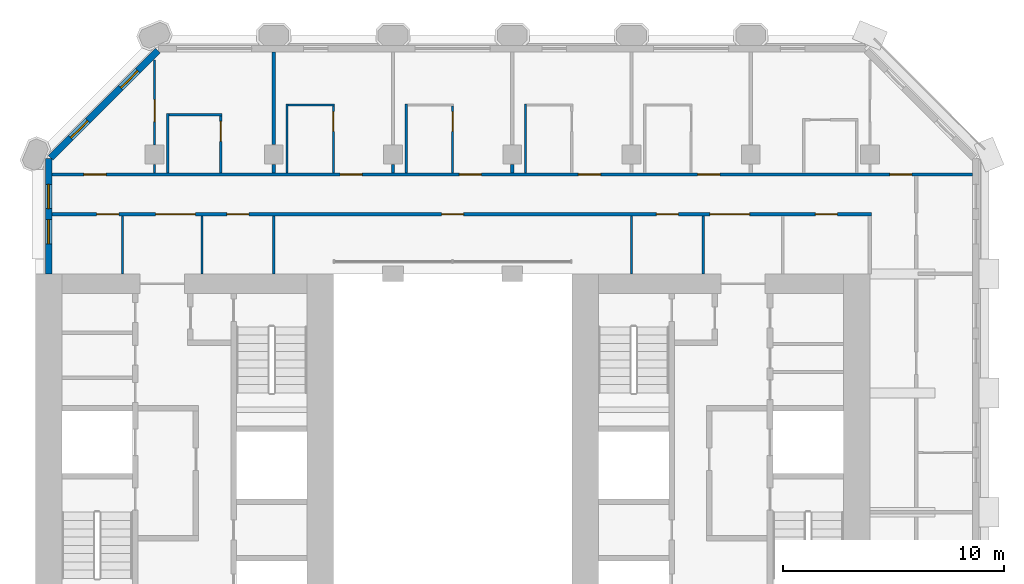
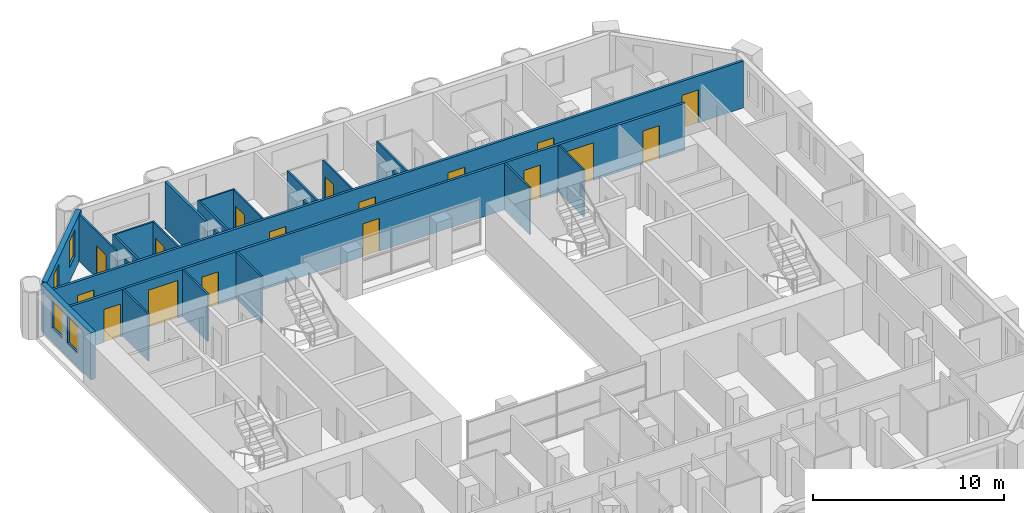
# One storey, part 12 of 16: 24 walls, 17 doors, 4 windows, 21 openings.
"""IFC4 building model written with IfcOpenShell, lengths in metres."""

from ifc_helpers import new_model, si_unit, direction, frame, frame_2d, origin, place, context, subcontext, project, spatial, rectangle, extrude, material, layer, layer_set, type_object, element, fill, save


model = new_model("IFC4")

# Units and contexts
model_context = context("Model", 3, precision=1e-05, world=origin(), true_north=direction((0.0, 1.0)))
body_context = subcontext(model_context, "Body", "Model", "MODEL_VIEW")
ifc_project = project(units=[si_unit("LENGTHUNIT", "METRE"), si_unit("AREAUNIT", "SQUARE_METRE"), si_unit("VOLUMEUNIT", "CUBIC_METRE"), si_unit("PLANEANGLEUNIT", "RADIAN"), si_unit("MASSUNIT", "GRAM", prefix="KILO")], contexts=[model_context])

# Site, building, storey
site_placement = place(None, origin())
site = spatial("IfcSite", under=ifc_project, at=site_placement, CompositionType="ELEMENT")
building_placement = place(site_placement, origin())
building = spatial("IfcBuilding", under=site, at=building_placement, Name="Tabaq Tower and Sports Hall", CompositionType="ELEMENT")
storey_placement = place(building_placement, frame((0.0, 0.0, 156.10009765625)))
storey = spatial("IfcBuildingStorey", under=building, at=storey_placement, Name="L36", CompositionType="ELEMENT", Elevation=156.10009765625)

# Wall, opening, door
ifc_material_1 = material(Name="Gypsum board on steel studs", Category="steel")
ifc_layer_1 = layer(ifc_material_1, 0.10009765625)
ifc_layer_set_1 = layer_set([ifc_layer_1], Name="Partition 100 Gypsum board")
wall_type_1 = type_object("IfcWallType", Name="Partition 100 Gypsum board", PredefinedType="PARTITIONING", material=ifc_layer_set_1)
wall_1_placement = place(storey_placement, frame((10.800048828125, 42.087890625, 0.0), z_axis=(0.0, 0.0, 1.0), x_axis=(0.0, -1.0, 0.0)))
wall_1 = element("IfcWall", 1, at=wall_1_placement, inside=storey, type_object=wall_type_1, Name="Partition wall L36", PredefinedType="PARTITIONING", context=body_context, shape_type="SweptSolid", body=[
    extrude(rectangle(XDim=3.8427734375, YDim=0.10009765625, at=frame_2d((1.92138671875, 0.0))), origin(), (0.0, 0.0, 1.0), 3.0),
])
opening_1_placement = place(wall_1_placement, frame((1.80029296875, 0.0, 0.0)))
opening_1 = element("IfcOpeningElement", 2, at=opening_1_placement, cuts=wall_1, Name="Opening L36-030", PredefinedType="OPENING", context=body_context, shape_type="SweptSolid", body=[
    extrude(rectangle(XDim=1.0, YDim=2.10009765625, at=frame_2d((0.5, 1.050048828125))), frame((0.0, 0.050048828125, 0.0), z_axis=(0.0, -1.0, 0.0), x_axis=(1.0, 0.0, 0.0)), (0.0, 0.0, 1.0), 0.10009765625),
])
ifc_material_2 = material(Name="Timber leaf in steel frame", Category="steel")
door_type_1 = type_object("IfcDoorType", Name="Internal door 1000 right hand", OperationType="SINGLE_SWING_RIGHT", PredefinedType="DOOR", material=ifc_material_2)
door_1_placement = place(opening_1_placement, origin())
door_1 = element("IfcDoor", 3, at=door_1_placement, inside=storey, type_object=door_type_1, Name="Internal door L36-030", OperationType="SINGLE_SWING_RIGHT", OverallHeight=2.10009765625, OverallWidth=1.0, PredefinedType="DOOR", context=body_context, shape_type="SweptSolid", body=[
    extrude(rectangle(XDim=1.0, YDim=2.10009765625, at=frame_2d((0.5, 1.050048828125))), frame((0.0, 0.02490234375, 0.0), z_axis=(0.0, -1.0, 0.0), x_axis=(1.0, 0.0, 0.0)), (0.0, 0.0, 1.0), 0.050048828125),
])
fill(opening_1, door_1)

# Walls
wall_2_placement = place(storey_placement, frame((10.800048828125, 37.35498046875, 0.0), z_axis=(0.0, 0.0, 1.0), x_axis=(0.0, -1.0, 0.0)))
element("IfcWall", 4, at=wall_2_placement, inside=storey, type_object=wall_type_1, Name="Partition wall L36", PredefinedType="PARTITIONING", context=body_context, shape_type="SweptSolid", body=[
    extrude(rectangle(XDim=0.3798828125, YDim=0.10009765625, at=frame_2d((0.18994140625, 0.0))), origin(), (0.0, 0.0, 1.0), 3.0),
])
wall_3_placement = place(storey_placement, frame((11.39990234375, 36.97509765625, 0.0), z_axis=(0.0, 0.0, 1.0), x_axis=(0.0, 1.0, 0.0)))
element("IfcWall", 5, at=wall_3_placement, inside=storey, type_object=wall_type_1, Name="Partition wall L36", PredefinedType="PARTITIONING", context=body_context, shape_type="SweptSolid", body=[
    extrude(rectangle(XDim=2.6748046875, YDim=0.10009765625, at=frame_2d((1.33740234375, 0.0))), origin(), (0.0, 0.0, 1.0), 3.0),
])
wall_4_placement = place(storey_placement, frame((11.449951171875, 39.60009765625, 0.0), z_axis=(0.0, 0.0, 1.0), x_axis=(1.0, 0.0, 0.0)))
element("IfcWall", 6, at=wall_4_placement, inside=storey, type_object=wall_type_1, Name="Partition wall L36", PredefinedType="PARTITIONING", context=body_context, shape_type="SweptSolid", body=[
    extrude(rectangle(XDim=2.400146484375, YDim=0.10009765625, at=frame_2d((1.2001953125, 0.0))), origin(), (0.0, 0.0, 1.0), 3.0),
])

# Wall, opening, door
wall_5_placement = place(storey_placement, frame((13.800048828125, 39.550048828125, 0.0), z_axis=(0.0, 0.0, 1.0), x_axis=(0.0, -1.0, 0.0)))
wall_5 = element("IfcWall", 7, at=wall_5_placement, inside=storey, type_object=wall_type_1, Name="Partition wall L36", PredefinedType="PARTITIONING", context=body_context, shape_type="SweptSolid", body=[
    extrude(rectangle(XDim=2.574951171875, YDim=0.10009765625, at=frame_2d((1.28759765625, 0.0))), origin(), (0.0, 0.0, 1.0), 3.0),
])
opening_2_placement = place(wall_5_placement, frame((0.25, 0.0, 0.0)))
opening_2 = element("IfcOpeningElement", 8, at=opening_2_placement, cuts=wall_5, Name="Opening L36-002", PredefinedType="OPENING", context=body_context, shape_type="SweptSolid", body=[
    extrude(rectangle(XDim=0.89990234375, YDim=2.10009765625, at=frame_2d((0.449951171875, 1.050048828125))), frame((0.0, 0.050048828125, 0.0), z_axis=(0.0, -1.0, 0.0), x_axis=(1.0, 0.0, 0.0)), (0.0, 0.0, 1.0), 0.10009765625),
])
ifc_material_3 = material(Name="Timber leaf in steel frame", Category="steel")
door_type_2 = type_object("IfcDoorType", Name="Internal door 900 right hand", OperationType="SINGLE_SWING_RIGHT", PredefinedType="DOOR", material=ifc_material_3)
door_2_placement = place(opening_2_placement, origin())
door_2 = element("IfcDoor", 9, at=door_2_placement, inside=storey, type_object=door_type_2, Name="Internal door L36-002", OperationType="SINGLE_SWING_RIGHT", OverallHeight=2.10009765625, OverallWidth=0.89990234375, PredefinedType="DOOR", context=body_context, shape_type="SweptSolid", body=[
    extrude(rectangle(XDim=0.89990234375, YDim=2.10009765625, at=frame_2d((0.449951171875, 1.050048828125))), frame((0.0, 0.02490234375, 0.0), z_axis=(0.0, -1.0, 0.0), x_axis=(1.0, 0.0, 0.0)), (0.0, 0.0, 1.0), 0.050048828125),
])
fill(opening_2, door_2)

# Walls
wall_6_placement = place(storey_placement, frame((16.800048828125, 36.97509765625, 0.0), z_axis=(0.0, 0.0, 1.0), x_axis=(0.0, 1.0, 0.0)))
element("IfcWall", 10, at=wall_6_placement, inside=storey, type_object=wall_type_1, Name="Partition wall L36", PredefinedType="PARTITIONING", context=body_context, shape_type="SweptSolid", body=[
    extrude(rectangle(XDim=3.125, YDim=0.10009765625, at=frame_2d((1.5625, 0.0))), origin(), (0.0, 0.0, 1.0), 3.0),
])
wall_7_placement = place(storey_placement, frame((16.85009765625, 40.050048828125, 0.0), z_axis=(0.0, 0.0, 1.0), x_axis=(1.0, 0.0, 0.0)))
element("IfcWall", 11, at=wall_7_placement, inside=storey, type_object=wall_type_1, Name="Partition wall L36", PredefinedType="PARTITIONING", context=body_context, shape_type="SweptSolid", body=[
    extrude(rectangle(XDim=2.099853515625, YDim=0.10009765625, at=frame_2d((1.0498046875, 0.0))), origin(), (0.0, 0.0, 1.0), 3.0),
])

# Wall, opening, door
wall_8_placement = place(storey_placement, frame((18.89990234375, 40.0, 0.0), z_axis=(0.0, 0.0, 1.0), x_axis=(0.0, -1.0, 0.0)))
wall_8 = element("IfcWall", 12, at=wall_8_placement, inside=storey, type_object=wall_type_1, Name="Partition wall L36", PredefinedType="PARTITIONING", context=body_context, shape_type="SweptSolid", body=[
    extrude(rectangle(XDim=3.02490234375, YDim=0.10009765625, at=frame_2d((1.512451171875, 0.0))), origin(), (0.0, 0.0, 1.0), 3.0),
])
opening_3_placement = place(wall_8_placement, frame((0.25, 0.0, 0.0)))
opening_3 = element("IfcOpeningElement", 13, at=opening_3_placement, cuts=wall_8, Name="Opening L36-003", PredefinedType="OPENING", context=body_context, shape_type="SweptSolid", body=[
    extrude(rectangle(XDim=0.89990234375, YDim=2.10009765625, at=frame_2d((0.449951171875, 1.050048828125))), frame((0.0, 0.050048828125, 0.0), z_axis=(0.0, -1.0, 0.0), x_axis=(1.0, 0.0, 0.0)), (0.0, 0.0, 1.0), 0.10009765625),
])
door_3_placement = place(opening_3_placement, origin())
door_3 = element("IfcDoor", 14, at=door_3_placement, inside=storey, type_object=door_type_2, Name="Internal door L36-003", OperationType="SINGLE_SWING_RIGHT", OverallHeight=2.10009765625, OverallWidth=0.89990234375, PredefinedType="DOOR", context=body_context, shape_type="SweptSolid", body=[
    extrude(rectangle(XDim=0.89990234375, YDim=2.10009765625, at=frame_2d((0.449951171875, 1.050048828125))), frame((0.0, 0.02490234375, 0.0), z_axis=(0.0, -1.0, 0.0), x_axis=(1.0, 0.0, 0.0)), (0.0, 0.0, 1.0), 0.050048828125),
])
fill(opening_3, door_3)

# Wall
wall_9_placement = place(storey_placement, frame((22.199951171875, 36.97509765625, 0.0), z_axis=(0.0, 0.0, 1.0), x_axis=(0.0, 1.0, 0.0)))
element("IfcWall", 15, at=wall_9_placement, inside=storey, type_object=wall_type_1, Name="Partition wall L36", PredefinedType="PARTITIONING", context=body_context, shape_type="SweptSolid", body=[
    extrude(rectangle(XDim=3.125, YDim=0.10009765625, at=frame_2d((1.5625, 0.0))), origin(), (0.0, 0.0, 1.0), 3.0),
])

# Wall, opening, door
wall_10_placement = place(storey_placement, frame((24.300048828125, 40.0, 0.0), z_axis=(0.0, 0.0, 1.0), x_axis=(0.0, -1.0, 0.0)))
wall_10 = element("IfcWall", 16, at=wall_10_placement, inside=storey, type_object=wall_type_1, Name="Partition wall L36", PredefinedType="PARTITIONING", context=body_context, shape_type="SweptSolid", body=[
    extrude(rectangle(XDim=3.02490234375, YDim=0.10009765625, at=frame_2d((1.512451171875, 0.0))), origin(), (0.0, 0.0, 1.0), 3.0),
])
opening_4_placement = place(wall_10_placement, frame((0.25, 0.0, 0.0)))
opening_4 = element("IfcOpeningElement", 17, at=opening_4_placement, cuts=wall_10, Name="Opening L36-004", PredefinedType="OPENING", context=body_context, shape_type="SweptSolid", body=[
    extrude(rectangle(XDim=0.89990234375, YDim=2.10009765625, at=frame_2d((0.449951171875, 1.050048828125))), frame((0.0, 0.050048828125, 0.0), z_axis=(0.0, -1.0, 0.0), x_axis=(1.0, 0.0, 0.0)), (0.0, 0.0, 1.0), 0.10009765625),
])
ifc_material_4 = material(Name="Timber leaf in steel frame", Category="steel")
door_type_3 = type_object("IfcDoorType", Name="Internal door 900 left hand", OperationType="SINGLE_SWING_LEFT", PredefinedType="DOOR", material=ifc_material_4)
door_4_placement = place(opening_4_placement, origin())
door_4 = element("IfcDoor", 18, at=door_4_placement, inside=storey, type_object=door_type_3, Name="Internal door L36-004", OperationType="SINGLE_SWING_LEFT", OverallHeight=2.10009765625, OverallWidth=0.89990234375, PredefinedType="DOOR", context=body_context, shape_type="SweptSolid", body=[
    extrude(rectangle(XDim=0.89990234375, YDim=2.10009765625, at=frame_2d((0.449951171875, 1.050048828125))), frame((0.0, 0.02490234375, 0.0), z_axis=(0.0, -1.0, 0.0), x_axis=(1.0, 0.0, 0.0)), (0.0, 0.0, 1.0), 0.050048828125),
])
fill(opening_4, door_4)

# Walls
wall_11_placement = place(storey_placement, frame((27.60009765625, 36.97509765625, 0.0), z_axis=(0.0, 0.0, 1.0), x_axis=(0.0, 1.0, 0.0)))
element("IfcWall", 19, at=wall_11_placement, inside=storey, type_object=wall_type_1, Name="Partition wall L36", PredefinedType="PARTITIONING", context=body_context, shape_type="SweptSolid", body=[
    extrude(rectangle(XDim=3.125, YDim=0.10009765625, at=frame_2d((1.5625, 0.0))), origin(), (0.0, 0.0, 1.0), 3.0),
])
for number, where, z_axis, x_axis, name in (
    (20, (16.199951171875, 35.02490234375, 0.0), (0.0, 0.0, 1.0), (0.0, -1.0, 0.0), "Partition wall L36"),
    (21, (32.39990234375, 32.39990234375, 0.0), (0.0, 0.0, 1.0), (0.0, 1.0, 0.0), "Partition wall L36"),
    (22, (9.35009765625, 35.02490234375, 0.0), (0.0, 0.0, 1.0), (0.0, -1.0, 0.0), "Partition wall L36"),
    (23, (12.949951171875, 32.39990234375, 0.0), (0.0, 0.0, 1.0), (0.0, 1.0, 0.0), "Partition wall L36"),
    (24, (35.64990234375, 35.02490234375, 0.0), (0.0, 0.0, 1.0), (0.0, -1.0, 0.0), "Partition wall L36"),
):
    element("IfcWall", number, at=place(storey_placement, frame(where, z_axis=z_axis, x_axis=x_axis)), inside=storey, type_object=wall_type_1, Name=name, PredefinedType="PARTITIONING", context=body_context, shape_type="SweptSolid", body=[
        extrude(rectangle(XDim=2.625, YDim=0.10009765625, at=frame_2d((1.3125, 0.0))), origin(), (0.0, 0.0, 1.0), 3.0),
    ])
ifc_material_5 = material(Name="Blockwork", Category="masonry")
ifc_layer_2 = layer(ifc_material_5, 0.14990234375)
ifc_layer_set_2 = layer_set([ifc_layer_2], Name="Separating wall 150 Blockwork")
wall_type_2 = type_object("IfcWallType", Name="Separating wall 150 Blockwork", PredefinedType="PARTITIONING", material=ifc_layer_set_2)
wall_12_placement = place(storey_placement, frame((16.199951171875, 36.97509765625, 0.0), z_axis=(0.0, 0.0, 1.0), x_axis=(0.0, 1.0, 0.0)))
element("IfcWall", 25, at=wall_12_placement, inside=storey, type_object=wall_type_2, Name="Separating wall L36", PredefinedType="PARTITIONING", context=body_context, shape_type="SweptSolid", body=[
    extrude(rectangle(XDim=0.3798828125, YDim=0.14990234375, at=frame_2d((0.18994140625, 0.0))), origin(), (0.0, 0.0, 1.0), 3.0),
])
wall_13_placement = place(storey_placement, frame((16.199951171875, 38.2451171875, 0.0), z_axis=(0.0, 0.0, 1.0), x_axis=(0.0, 1.0, 0.0)))
element("IfcWall", 26, at=wall_13_placement, inside=storey, type_object=wall_type_2, Name="Separating wall L36", PredefinedType="PARTITIONING", context=body_context, shape_type="SweptSolid", body=[
    extrude(rectangle(XDim=4.203857421875, YDim=0.14990234375, at=frame_2d((2.10205078125, 0.0))), origin(), (0.0, 0.0, 1.0), 3.0),
])
for number, where, z_axis, x_axis, name in (
    (27, (21.60009765625, 36.97509765625, 0.0), (0.0, 0.0, 1.0), (0.0, 1.0, 0.0), "Separating wall L36"),
    (28, (27.0, 36.97509765625, 0.0), (0.0, 0.0, 1.0), (0.0, 1.0, 0.0), "Separating wall L36"),
):
    element("IfcWall", number, at=place(storey_placement, frame(where, z_axis=z_axis, x_axis=x_axis)), inside=storey, type_object=wall_type_2, Name=name, PredefinedType="PARTITIONING", context=body_context, shape_type="SweptSolid", body=[
        extrude(rectangle(XDim=0.3798828125, YDim=0.14990234375, at=frame_2d((0.18994140625, 0.0))), origin(), (0.0, 0.0, 1.0), 3.0),
    ])

# Wall, openings, doors
wall_14_placement = place(storey_placement, frame((47.84912109375, 36.89990234375, 0.0), z_axis=(0.0, 0.0, 1.0), x_axis=(-1.0, 0.0, 0.0)))
wall_14 = element("IfcWall", 29, at=wall_14_placement, inside=storey, type_object=wall_type_2, Name="Separating wall L36", PredefinedType="PARTITIONING", context=body_context, shape_type="SweptSolid", body=[
    extrude(rectangle(XDim=41.6982421875, YDim=0.14990234375, at=frame_2d((20.84912109375, 0.0))), origin(), (0.0, 0.0, 1.0), 3.0),
])
opening_5_placement = place(wall_14_placement, frame((39.2490234375, 0.0, 0.0)))
opening_5 = element("IfcOpeningElement", 30, at=opening_5_placement, cuts=wall_14, Name="Opening L36-031", PredefinedType="OPENING", context=body_context, shape_type="SweptSolid", body=[
    extrude(rectangle(XDim=1.0, YDim=2.10009765625, at=frame_2d((0.5, 1.050048828125))), frame((0.0, 0.074951171875, 0.0), z_axis=(0.0, -1.0, 0.0), x_axis=(1.0, 0.0, 0.0)), (0.0, 0.0, 1.0), 0.14990234375),
])
opening_6_placement = place(wall_14_placement, frame((27.64892578125, 0.0, 0.0)))
opening_6 = element("IfcOpeningElement", 31, at=opening_6_placement, cuts=wall_14, Name="Opening L36-032", PredefinedType="OPENING", context=body_context, shape_type="SweptSolid", body=[
    extrude(rectangle(XDim=1.0, YDim=2.10009765625, at=frame_2d((0.5, 1.050048828125))), frame((0.0, 0.074951171875, 0.0), z_axis=(0.0, -1.0, 0.0), x_axis=(1.0, 0.0, 0.0)), (0.0, 0.0, 1.0), 0.14990234375),
])
opening_7_placement = place(wall_14_placement, frame((22.2490234375, 0.0, 0.0)))
opening_7 = element("IfcOpeningElement", 32, at=opening_7_placement, cuts=wall_14, Name="Opening L36-033", PredefinedType="OPENING", context=body_context, shape_type="SweptSolid", body=[
    extrude(rectangle(XDim=1.0, YDim=2.10009765625, at=frame_2d((0.5, 1.050048828125))), frame((0.0, 0.074951171875, 0.0), z_axis=(0.0, -1.0, 0.0), x_axis=(1.0, 0.0, 0.0)), (0.0, 0.0, 1.0), 0.14990234375),
])
opening_8_placement = place(wall_14_placement, frame((16.84912109375, 0.0, 0.0)))
opening_8 = element("IfcOpeningElement", 33, at=opening_8_placement, cuts=wall_14, Name="Opening L36-034", PredefinedType="OPENING", context=body_context, shape_type="SweptSolid", body=[
    extrude(rectangle(XDim=1.0, YDim=2.10009765625, at=frame_2d((0.5, 1.050048828125))), frame((0.0, 0.074951171875, 0.0), z_axis=(0.0, -1.0, 0.0), x_axis=(1.0, 0.0, 0.0)), (0.0, 0.0, 1.0), 0.14990234375),
])
opening_9_placement = place(wall_14_placement, frame((11.448974609375, 0.0, 0.0)))
opening_9 = element("IfcOpeningElement", 34, at=opening_9_placement, cuts=wall_14, Name="Opening L36-035", PredefinedType="OPENING", context=body_context, shape_type="SweptSolid", body=[
    extrude(rectangle(XDim=1.0, YDim=2.10009765625, at=frame_2d((0.5, 1.050048828125))), frame((0.0, 0.074951171875, 0.0), z_axis=(0.0, -1.0, 0.0), x_axis=(1.0, 0.0, 0.0)), (0.0, 0.0, 1.0), 0.14990234375),
])
opening_10_placement = place(wall_14_placement, frame((2.743896484375, 0.0, 0.0)))
opening_10 = element("IfcOpeningElement", 35, at=opening_10_placement, cuts=wall_14, Name="Opening L36-037", PredefinedType="OPENING", context=body_context, shape_type="SweptSolid", body=[
    extrude(rectangle(XDim=1.0, YDim=2.10009765625, at=frame_2d((0.5, 1.050048828125))), frame((0.0, 0.074951171875, 0.0), z_axis=(0.0, -1.0, 0.0), x_axis=(1.0, 0.0, 0.0)), (0.0, 0.0, 1.0), 0.14990234375),
])
ifc_material_6 = material(Name="Steel fire door", Category="steel")
door_type_4 = type_object("IfcDoorType", Name="Entrance door 1000 left hand", OperationType="SINGLE_SWING_LEFT", PredefinedType="DOOR", material=ifc_material_6)
door_5_placement = place(opening_5_placement, origin())
door_5 = element("IfcDoor", 36, at=door_5_placement, inside=storey, type_object=door_type_4, Name="Entrance door L36-031", OperationType="SINGLE_SWING_LEFT", OverallHeight=2.10009765625, OverallWidth=1.0, PredefinedType="DOOR", context=body_context, shape_type="SweptSolid", body=[
    extrude(rectangle(XDim=1.0, YDim=2.10009765625, at=frame_2d((0.5, 1.050048828125))), frame((0.0, 0.02490234375, 0.0), z_axis=(0.0, -1.0, 0.0), x_axis=(1.0, 0.0, 0.0)), (0.0, 0.0, 1.0), 0.050048828125),
])
fill(opening_5, door_5)
door_6_placement = place(opening_6_placement, origin())
door_6 = element("IfcDoor", 37, at=door_6_placement, inside=storey, type_object=door_type_4, Name="Entrance door L36-032", OperationType="SINGLE_SWING_LEFT", OverallHeight=2.10009765625, OverallWidth=1.0, PredefinedType="DOOR", context=body_context, shape_type="SweptSolid", body=[
    extrude(rectangle(XDim=1.0, YDim=2.10009765625, at=frame_2d((0.5, 1.050048828125))), frame((0.0, 0.02490234375, 0.0), z_axis=(0.0, -1.0, 0.0), x_axis=(1.0, 0.0, 0.0)), (0.0, 0.0, 1.0), 0.050048828125),
])
fill(opening_6, door_6)
door_7_placement = place(opening_7_placement, origin())
door_7 = element("IfcDoor", 38, at=door_7_placement, inside=storey, type_object=door_type_4, Name="Entrance door L36-033", OperationType="SINGLE_SWING_LEFT", OverallHeight=2.10009765625, OverallWidth=1.0, PredefinedType="DOOR", context=body_context, shape_type="SweptSolid", body=[
    extrude(rectangle(XDim=1.0, YDim=2.10009765625, at=frame_2d((0.5, 1.050048828125))), frame((0.0, 0.02490234375, 0.0), z_axis=(0.0, -1.0, 0.0), x_axis=(1.0, 0.0, 0.0)), (0.0, 0.0, 1.0), 0.050048828125),
])
fill(opening_7, door_7)
ifc_material_7 = material(Name="Steel fire door", Category="steel")
door_type_5 = type_object("IfcDoorType", Name="Entrance door 1000 right hand", OperationType="SINGLE_SWING_RIGHT", PredefinedType="DOOR", material=ifc_material_7)
door_8_placement = place(opening_8_placement, origin())
door_8 = element("IfcDoor", 39, at=door_8_placement, inside=storey, type_object=door_type_5, Name="Entrance door L36-034", OperationType="SINGLE_SWING_RIGHT", OverallHeight=2.10009765625, OverallWidth=1.0, PredefinedType="DOOR", context=body_context, shape_type="SweptSolid", body=[
    extrude(rectangle(XDim=1.0, YDim=2.10009765625, at=frame_2d((0.5, 1.050048828125))), frame((0.0, 0.02490234375, 0.0), z_axis=(0.0, -1.0, 0.0), x_axis=(1.0, 0.0, 0.0)), (0.0, 0.0, 1.0), 0.050048828125),
])
fill(opening_8, door_8)
door_9_placement = place(opening_9_placement, origin())
door_9 = element("IfcDoor", 40, at=door_9_placement, inside=storey, type_object=door_type_5, Name="Entrance door L36-035", OperationType="SINGLE_SWING_RIGHT", OverallHeight=2.10009765625, OverallWidth=1.0, PredefinedType="DOOR", context=body_context, shape_type="SweptSolid", body=[
    extrude(rectangle(XDim=1.0, YDim=2.10009765625, at=frame_2d((0.5, 1.050048828125))), frame((0.0, 0.02490234375, 0.0), z_axis=(0.0, -1.0, 0.0), x_axis=(1.0, 0.0, 0.0)), (0.0, 0.0, 1.0), 0.050048828125),
])
fill(opening_9, door_9)
door_10_placement = place(opening_10_placement, origin())
door_10 = element("IfcDoor", 41, at=door_10_placement, inside=storey, type_object=door_type_5, Name="Entrance door L36-037", OperationType="SINGLE_SWING_RIGHT", OverallHeight=2.10009765625, OverallWidth=1.0, PredefinedType="DOOR", context=body_context, shape_type="SweptSolid", body=[
    extrude(rectangle(XDim=1.0, YDim=2.10009765625, at=frame_2d((0.5, 1.050048828125))), frame((0.0, 0.02490234375, 0.0), z_axis=(0.0, -1.0, 0.0), x_axis=(1.0, 0.0, 0.0)), (0.0, 0.0, 1.0), 0.050048828125),
])
fill(opening_10, door_10)

wall_15_placement = place(storey_placement, frame((43.27490234375, 35.10009765625, 0.0), z_axis=(0.0, 0.0, 1.0), x_axis=(-1.0, 0.0, 0.0)))
wall_15 = element("IfcWall", 42, at=wall_15_placement, inside=storey, type_object=wall_type_2, Name="Separating wall L36", PredefinedType="PARTITIONING", context=body_context, shape_type="SweptSolid", body=[
    extrude(rectangle(XDim=37.1240234375, YDim=0.14990234375, at=frame_2d((18.56201171875, 0.0))), origin(), (0.0, 0.0, 1.0), 3.0),
])
opening_11_placement = place(wall_15_placement, frame((18.47509765625, 0.0, 0.0)))
opening_11 = element("IfcOpeningElement", 43, at=opening_11_placement, cuts=wall_15, Name="Opening L36-008", PredefinedType="OPENING", context=body_context, shape_type="SweptSolid", body=[
    extrude(rectangle(XDim=1.0, YDim=2.10009765625, at=frame_2d((0.5, 1.050048828125))), frame((0.0, 0.074951171875, 0.0), z_axis=(0.0, -1.0, 0.0), x_axis=(1.0, 0.0, 0.0)), (0.0, 0.0, 1.0), 0.14990234375),
])
opening_12_placement = place(wall_15_placement, frame((34.094970703125, 0.0, 0.0)))
opening_12 = element("IfcOpeningElement", 44, at=opening_12_placement, cuts=wall_15, Name="Opening L36-010", PredefinedType="OPENING", context=body_context, shape_type="SweptSolid", body=[
    extrude(rectangle(XDim=1.0, YDim=2.10009765625, at=frame_2d((0.5, 1.050048828125))), frame((0.0, 0.074951171875, 0.0), z_axis=(0.0, -1.0, 0.0), x_axis=(1.0, 0.0, 0.0)), (0.0, 0.0, 1.0), 0.14990234375),
])
opening_13_placement = place(wall_15_placement, frame((8.75, 0.0, 0.0)))
opening_13 = element("IfcOpeningElement", 45, at=opening_13_placement, cuts=wall_15, Name="Opening L36-011", PredefinedType="OPENING", context=body_context, shape_type="SweptSolid", body=[
    extrude(rectangle(XDim=1.0, YDim=2.10009765625, at=frame_2d((0.5, 1.050048828125))), frame((0.0, 0.074951171875, 0.0), z_axis=(0.0, -1.0, 0.0), x_axis=(1.0, 0.0, 0.0)), (0.0, 0.0, 1.0), 0.14990234375),
])
opening_14_placement = place(wall_15_placement, frame((1.550048828125, 0.0, 0.0)))
opening_14 = element("IfcOpeningElement", 46, at=opening_14_placement, cuts=wall_15, Name="Opening L36-012", PredefinedType="OPENING", context=body_context, shape_type="SweptSolid", body=[
    extrude(rectangle(XDim=1.0, YDim=2.10009765625, at=frame_2d((0.5, 1.050048828125))), frame((0.0, 0.074951171875, 0.0), z_axis=(0.0, -1.0, 0.0), x_axis=(1.0, 0.0, 0.0)), (0.0, 0.0, 1.0), 0.14990234375),
])
opening_15_placement = place(wall_15_placement, frame((28.199951171875, 0.0, 0.0)))
opening_15 = element("IfcOpeningElement", 47, at=opening_15_placement, cuts=wall_15, Name="Opening L36-013", PredefinedType="OPENING", context=body_context, shape_type="SweptSolid", body=[
    extrude(rectangle(XDim=1.0, YDim=2.10009765625, at=frame_2d((0.5, 1.050048828125))), frame((0.0, 0.074951171875, 0.0), z_axis=(0.0, -1.0, 0.0), x_axis=(1.0, 0.0, 0.0)), (0.0, 0.0, 1.0), 0.14990234375),
])
opening_16_placement = place(wall_15_placement, frame((30.625, 0.0, 0.0)))
opening_16 = element("IfcOpeningElement", 48, at=opening_16_placement, cuts=wall_15, Name="Opening L36-039", PredefinedType="OPENING", context=body_context, shape_type="SweptSolid", body=[
    extrude(rectangle(XDim=1.800048828125, YDim=2.39990234375, at=frame_2d((0.89990234375, 1.199951171875))), frame((0.0, 0.074951171875, 0.0), z_axis=(0.0, -1.0, 0.0), x_axis=(1.0, 0.0, 0.0)), (0.0, 0.0, 1.0), 0.14990234375),
])
opening_17_placement = place(wall_15_placement, frame((5.52490234375, 0.0, 0.0)))
opening_17 = element("IfcOpeningElement", 49, at=opening_17_placement, cuts=wall_15, Name="Opening L36-040", PredefinedType="OPENING", context=body_context, shape_type="SweptSolid", body=[
    extrude(rectangle(XDim=1.800048828125, YDim=2.39990234375, at=frame_2d((0.89990234375, 1.199951171875))), frame((0.0, 0.074951171875, 0.0), z_axis=(0.0, -1.0, 0.0), x_axis=(1.0, 0.0, 0.0)), (0.0, 0.0, 1.0), 0.14990234375),
])
ifc_material_8 = material(Name="Timber leaf in steel frame", Category="steel")
door_type_6 = type_object("IfcDoorType", Name="Internal door 1000 left hand", OperationType="SINGLE_SWING_LEFT", PredefinedType="DOOR", material=ifc_material_8)
door_11_placement = place(opening_11_placement, origin())
door_11 = element("IfcDoor", 50, at=door_11_placement, inside=storey, type_object=door_type_6, Name="Internal door L36-008", OperationType="SINGLE_SWING_LEFT", OverallHeight=2.10009765625, OverallWidth=1.0, PredefinedType="DOOR", context=body_context, shape_type="SweptSolid", body=[
    extrude(rectangle(XDim=1.0, YDim=2.10009765625, at=frame_2d((0.5, 1.050048828125))), frame((0.0, 0.02490234375, 0.0), z_axis=(0.0, -1.0, 0.0), x_axis=(1.0, 0.0, 0.0)), (0.0, 0.0, 1.0), 0.050048828125),
])
fill(opening_11, door_11)
door_12_placement = place(opening_14_placement, origin())
door_12 = element("IfcDoor", 51, at=door_12_placement, inside=storey, type_object=door_type_6, Name="Internal door L36-012", OperationType="SINGLE_SWING_LEFT", OverallHeight=2.10009765625, OverallWidth=1.0, PredefinedType="DOOR", context=body_context, shape_type="SweptSolid", body=[
    extrude(rectangle(XDim=1.0, YDim=2.10009765625, at=frame_2d((0.5, 1.050048828125))), frame((0.0, 0.02490234375, 0.0), z_axis=(0.0, -1.0, 0.0), x_axis=(1.0, 0.0, 0.0)), (0.0, 0.0, 1.0), 0.050048828125),
])
fill(opening_14, door_12)
door_13_placement = place(opening_15_placement, origin())
door_13 = element("IfcDoor", 52, at=door_13_placement, inside=storey, type_object=door_type_6, Name="Internal door L36-013", OperationType="SINGLE_SWING_LEFT", OverallHeight=2.10009765625, OverallWidth=1.0, PredefinedType="DOOR", context=body_context, shape_type="SweptSolid", body=[
    extrude(rectangle(XDim=1.0, YDim=2.10009765625, at=frame_2d((0.5, 1.050048828125))), frame((0.0, 0.02490234375, 0.0), z_axis=(0.0, -1.0, 0.0), x_axis=(1.0, 0.0, 0.0)), (0.0, 0.0, 1.0), 0.050048828125),
])
fill(opening_15, door_13)
door_14_placement = place(opening_12_placement, origin())
door_14 = element("IfcDoor", 53, at=door_14_placement, inside=storey, type_object=door_type_1, Name="Internal door L36-010", OperationType="SINGLE_SWING_RIGHT", OverallHeight=2.10009765625, OverallWidth=1.0, PredefinedType="DOOR", context=body_context, shape_type="SweptSolid", body=[
    extrude(rectangle(XDim=1.0, YDim=2.10009765625, at=frame_2d((0.5, 1.050048828125))), frame((0.0, 0.02490234375, 0.0), z_axis=(0.0, -1.0, 0.0), x_axis=(1.0, 0.0, 0.0)), (0.0, 0.0, 1.0), 0.050048828125),
])
fill(opening_12, door_14)
door_15_placement = place(opening_13_placement, origin())
door_15 = element("IfcDoor", 54, at=door_15_placement, inside=storey, type_object=door_type_1, Name="Internal door L36-011", OperationType="SINGLE_SWING_RIGHT", OverallHeight=2.10009765625, OverallWidth=1.0, PredefinedType="DOOR", context=body_context, shape_type="SweptSolid", body=[
    extrude(rectangle(XDim=1.0, YDim=2.10009765625, at=frame_2d((0.5, 1.050048828125))), frame((0.0, 0.02490234375, 0.0), z_axis=(0.0, -1.0, 0.0), x_axis=(1.0, 0.0, 0.0)), (0.0, 0.0, 1.0), 0.050048828125),
])
fill(opening_13, door_15)
ifc_material_9 = material(Name="Timber leaf in steel frame", Category="steel")
door_type_7 = type_object("IfcDoorType", Name="Internal door 1800", OperationType="DOUBLE_DOOR_SINGLE_SWING", PredefinedType="DOOR", material=ifc_material_9)
door_16_placement = place(opening_16_placement, origin())
door_16 = element("IfcDoor", 55, at=door_16_placement, inside=storey, type_object=door_type_7, Name="Internal door L36-039", OperationType="DOUBLE_DOOR_SINGLE_SWING", OverallHeight=2.39990234375, OverallWidth=1.800048828125, PredefinedType="DOOR", context=body_context, shape_type="SweptSolid", body=[
    extrude(rectangle(XDim=1.800048828125, YDim=2.39990234375, at=frame_2d((0.89990234375, 1.199951171875))), frame((0.0, 0.02490234375, 0.0), z_axis=(0.0, -1.0, 0.0), x_axis=(1.0, 0.0, 0.0)), (0.0, 0.0, 1.0), 0.050048828125),
])
fill(opening_16, door_16)
door_17_placement = place(opening_17_placement, origin())
door_17 = element("IfcDoor", 56, at=door_17_placement, inside=storey, type_object=door_type_7, Name="Internal door L36-040", OperationType="DOUBLE_DOOR_SINGLE_SWING", OverallHeight=2.39990234375, OverallWidth=1.800048828125, PredefinedType="DOOR", context=body_context, shape_type="SweptSolid", body=[
    extrude(rectangle(XDim=1.800048828125, YDim=2.39990234375, at=frame_2d((0.89990234375, 1.199951171875))), frame((0.0, 0.02490234375, 0.0), z_axis=(0.0, -1.0, 0.0), x_axis=(1.0, 0.0, 0.0)), (0.0, 0.0, 1.0), 0.050048828125),
])
fill(opening_17, door_17)

# Wall, openings, windows
ifc_material_10 = material(Name="White precast concrete C60/75", Category="concrete")
ifc_layer_3 = layer(ifc_material_10, 0.300048828125)
ifc_layer_set_3 = layer_set([ifc_layer_3], Name="White precast concrete C60/75 external wall 300")
wall_type_3 = type_object("IfcWallType", Name="White precast concrete C60/75 external wall 300", PredefinedType="SOLIDWALL", material=ifc_layer_set_3)
wall_16_placement = place(storey_placement, frame((10.949462890625, 42.5009765625, 0.0), z_axis=(0.0, 0.0, 1.0), x_axis=(-0.707106781187, -0.707106781187, 0.0)))
wall_16 = element("IfcWall", 57, at=wall_16_placement, inside=storey, type_object=wall_type_3, Name="External Wall L36 NW", PredefinedType="SOLIDWALL", context=body_context, shape_type="SweptSolid", body=[
    extrude(rectangle(XDim=6.85986328125, YDim=0.300048828125, at=frame_2d((3.429931640625, 0.0))), origin(), (0.0, 0.0, 1.0), 3.0),
])
opening_18_placement = place(wall_16_placement, frame((1.27978515625, 0.0, 0.89990234375)))
opening_18 = element("IfcOpeningElement", 58, at=opening_18_placement, cuts=wall_16, Name="Opening W1B", PredefinedType="OPENING", context=body_context, shape_type="SweptSolid", body=[
    extrude(rectangle(XDim=1.10009765625, YDim=1.699951171875, at=frame_2d((0.550048828125, 0.85009765625))), frame((0.0, 0.16015625, 0.0), z_axis=(0.0, -1.0, 0.0), x_axis=(1.0, 0.0, 0.0)), (0.0, 0.0, 1.0), 0.320068359375),
])
opening_19_placement = place(wall_16_placement, frame((4.479736328125, 0.0, 0.89990234375)))
opening_19 = element("IfcOpeningElement", 59, at=opening_19_placement, cuts=wall_16, Name="Opening W1B", PredefinedType="OPENING", context=body_context, shape_type="SweptSolid", body=[
    extrude(rectangle(XDim=1.10009765625, YDim=1.699951171875, at=frame_2d((0.550048828125, 0.85009765625))), frame((0.0, 0.16015625, 0.0), z_axis=(0.0, -1.0, 0.0), x_axis=(1.0, 0.0, 0.0)), (0.0, 0.0, 1.0), 0.320068359375),
])
ifc_material_11 = material(Name="Aluminium framed clear glazing", Category="aluminium")
window_type = type_object("IfcWindowType", Name="Window W1B", PartitioningType="SINGLE_PANEL", PredefinedType="WINDOW", material=ifc_material_11)
window_1_placement = place(opening_18_placement, origin())
window_1 = element("IfcWindow", 60, at=window_1_placement, inside=storey, type_object=window_type, Name="Window W1B L36", OverallHeight=1.699951171875, OverallWidth=1.10009765625, PartitioningType="SINGLE_PANEL", PredefinedType="WINDOW", context=body_context, shape_type="SweptSolid", body=[
    extrude(rectangle(XDim=1.10009765625, YDim=1.699951171875, at=frame_2d((0.550048828125, 0.85009765625))), frame((0.0, 0.030029296875, 0.0), z_axis=(0.0, -1.0, 0.0), x_axis=(1.0, 0.0, 0.0)), (0.0, 0.0, 1.0), 0.06005859375),
])
fill(opening_18, window_1)
window_2_placement = place(opening_19_placement, origin())
window_2 = element("IfcWindow", 61, at=window_2_placement, inside=storey, type_object=window_type, Name="Window W1B L36", OverallHeight=1.699951171875, OverallWidth=1.10009765625, PartitioningType="SINGLE_PANEL", PredefinedType="WINDOW", context=body_context, shape_type="SweptSolid", body=[
    extrude(rectangle(XDim=1.10009765625, YDim=1.699951171875, at=frame_2d((0.550048828125, 0.85009765625))), frame((0.0, 0.030029296875, 0.0), z_axis=(0.0, -1.0, 0.0), x_axis=(1.0, 0.0, 0.0)), (0.0, 0.0, 1.0), 0.06005859375),
])
fill(opening_19, window_2)

wall_17_placement = place(storey_placement, frame((6.0, 37.613525390625, 0.0), z_axis=(0.0, 0.0, 1.0), x_axis=(0.0, -1.0, 0.0)))
wall_17 = element("IfcWall", 62, at=wall_17_placement, inside=storey, type_object=wall_type_3, Name="External Wall L36 W", PredefinedType="SOLIDWALL", context=body_context, shape_type="SweptSolid", body=[
    extrude(rectangle(XDim=5.213623046875, YDim=0.300048828125, at=frame_2d((2.60693359375, 0.0))), origin(), (0.0, 0.0, 1.0), 3.0),
])
opening_20_placement = place(wall_17_placement, frame((1.16357421875, 0.0, 0.89990234375)))
opening_20 = element("IfcOpeningElement", 63, at=opening_20_placement, cuts=wall_17, Name="Opening W1B", PredefinedType="OPENING", context=body_context, shape_type="SweptSolid", body=[
    extrude(rectangle(XDim=1.10009765625, YDim=1.699951171875, at=frame_2d((0.550048828125, 0.85009765625))), frame((0.0, 0.16015625, 0.0), z_axis=(0.0, -1.0, 0.0), x_axis=(1.0, 0.0, 0.0)), (0.0, 0.0, 1.0), 0.320068359375),
])
opening_21_placement = place(wall_17_placement, frame((2.763671875, 0.0, 0.89990234375)))
opening_21 = element("IfcOpeningElement", 64, at=opening_21_placement, cuts=wall_17, Name="Opening W1B", PredefinedType="OPENING", context=body_context, shape_type="SweptSolid", body=[
    extrude(rectangle(XDim=1.10009765625, YDim=1.699951171875, at=frame_2d((0.550048828125, 0.85009765625))), frame((0.0, 0.16015625, 0.0), z_axis=(0.0, -1.0, 0.0), x_axis=(1.0, 0.0, 0.0)), (0.0, 0.0, 1.0), 0.320068359375),
])
window_3_placement = place(opening_20_placement, origin())
window_3 = element("IfcWindow", 65, at=window_3_placement, inside=storey, type_object=window_type, Name="Window W1B L36", OverallHeight=1.699951171875, OverallWidth=1.10009765625, PartitioningType="SINGLE_PANEL", PredefinedType="WINDOW", context=body_context, shape_type="SweptSolid", body=[
    extrude(rectangle(XDim=1.10009765625, YDim=1.699951171875, at=frame_2d((0.550048828125, 0.85009765625))), frame((0.0, 0.030029296875, 0.0), z_axis=(0.0, -1.0, 0.0), x_axis=(1.0, 0.0, 0.0)), (0.0, 0.0, 1.0), 0.06005859375),
])
fill(opening_20, window_3)
window_4_placement = place(opening_21_placement, origin())
window_4 = element("IfcWindow", 66, at=window_4_placement, inside=storey, type_object=window_type, Name="Window W1B L36", OverallHeight=1.699951171875, OverallWidth=1.10009765625, PartitioningType="SINGLE_PANEL", PredefinedType="WINDOW", context=body_context, shape_type="SweptSolid", body=[
    extrude(rectangle(XDim=1.10009765625, YDim=1.699951171875, at=frame_2d((0.550048828125, 0.85009765625))), frame((0.0, 0.030029296875, 0.0), z_axis=(0.0, -1.0, 0.0), x_axis=(1.0, 0.0, 0.0)), (0.0, 0.0, 1.0), 0.06005859375),
])
fill(opening_21, window_4)

save(model, "model.ifc")
